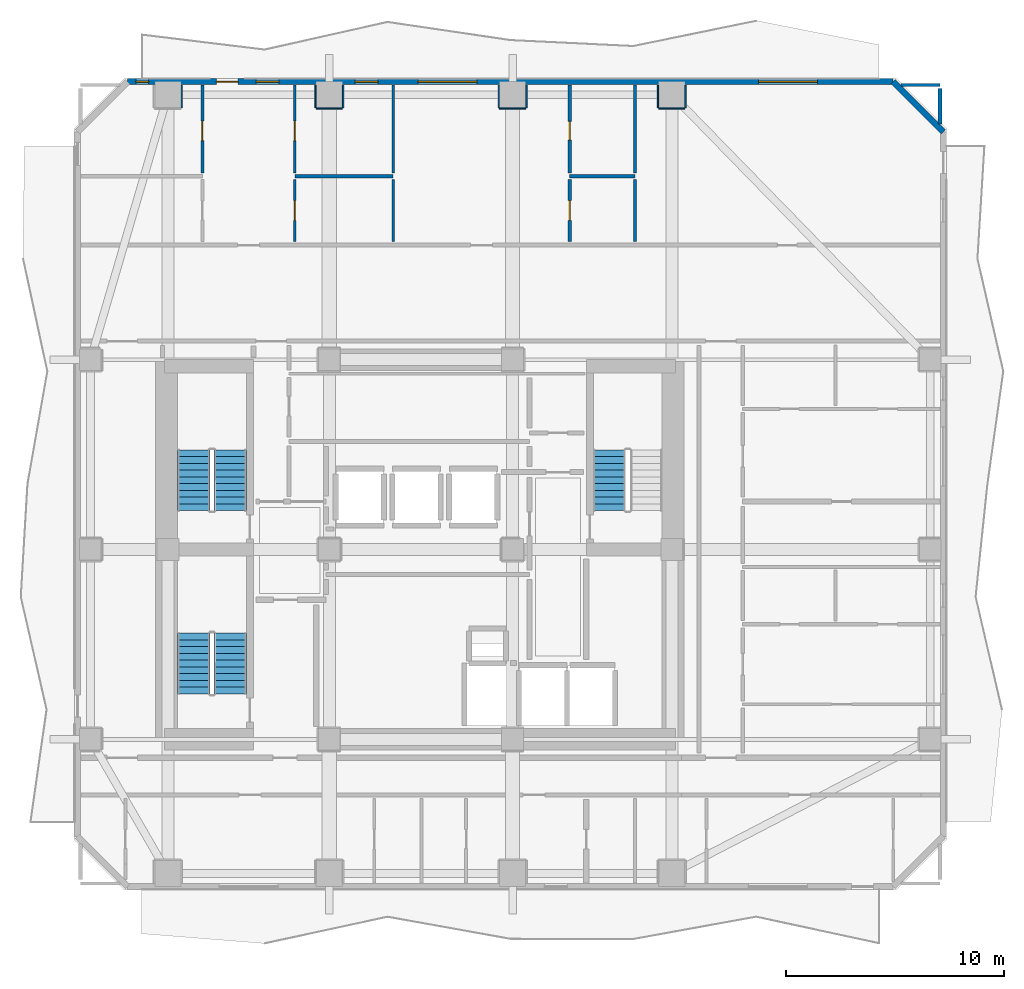
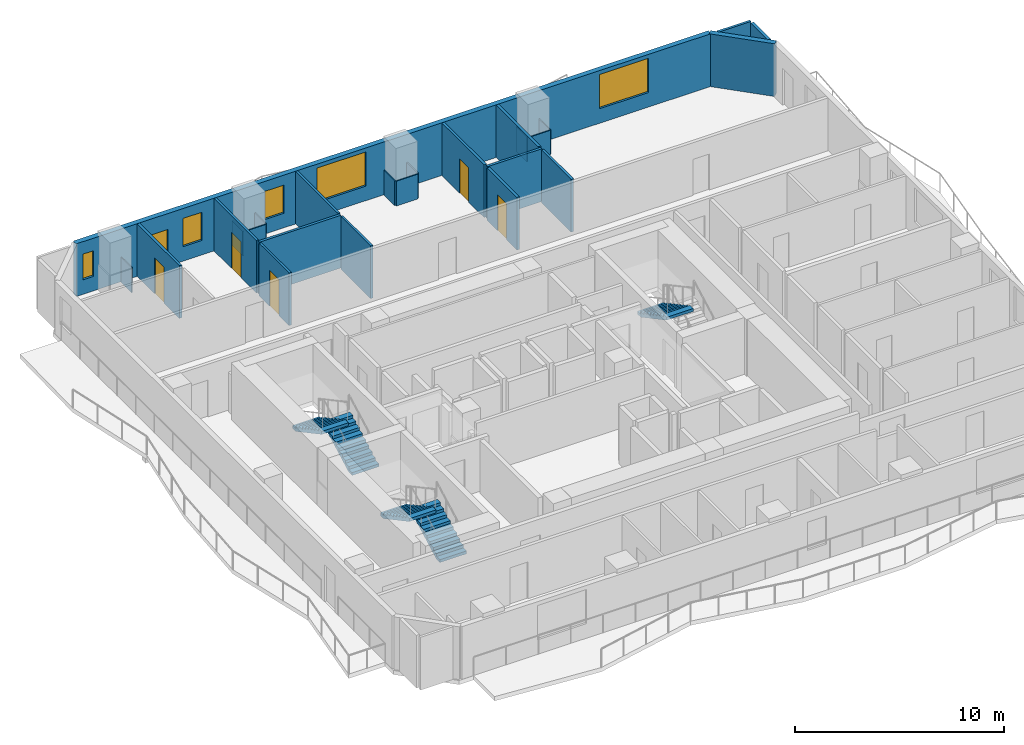
# One storey, part 6 of 11: 25 walls, 6 doors, 5 stair flights, 5 windows, 11 openings, 3 elements without a shape of their own.
"""IFC4 building model written with IfcOpenShell, lengths in metres."""

import ifcopenshell
import ifcopenshell.guid

model = None  # the IFC model being written
_history = None  # IfcOwnerHistory: only IFC2X3 demands one
_inside = {}  # id of a spatial element -> (the spatial element, [elements in it])
_under = {}  # id of a project, library or spatial element -> (it, [spatial elements below it])
_declared = {}  # id of a project -> (the project, [libraries it declares])
_typed = {}  # id of a type object -> (the type object, [elements of that type])
_made_of = {}  # id of a material, layer set ... -> (it, [elements and type objects made of it])


def new_model(schema):
    """Start an empty IFC model of exactly this schema.

    Asked for "IFC4X3", IfcOpenShell would pick the latest addendum, in which some entities
    have other attributes; the version numbers below select the first issue.
    IFC2X3 requires an IfcOwnerHistory on every rooted entity: one is made here for all.
    """
    global model, _history
    if schema == "IFC4X3":
        model = ifcopenshell.file(schema_version=(4, 3, 0, 0))
    else:
        model = ifcopenshell.file(schema=schema)
    _inside.clear()
    _under.clear()
    _declared.clear()
    _typed.clear()
    _made_of.clear()
    _history = None
    if model.schema == "IFC2X3":
        org = make("IfcOrganization", Name="unknown")
        user = make(
            "IfcPersonAndOrganization",
            ThePerson=make("IfcPerson", FamilyName="unknown"),
            TheOrganization=org,
        )
        app = make(
            "IfcApplication",
            ApplicationDeveloper=org,
            Version="unknown",
            ApplicationFullName="unknown",
            ApplicationIdentifier="unknown",
        )
        _history = make(
            "IfcOwnerHistory",
            OwningUser=user,
            OwningApplication=app,
            ChangeAction="ADDED",
            CreationDate=0,
        )
    return model


def make(cls, **values):
    """One entity of the class cls with the attributes given. An attribute that is None is left unset."""
    return model.create_entity(
        cls, **{name: value for name, value in values.items() if value is not None}
    )


def rooted(cls, **values):
    """An entity with a GlobalId (a new one), such as an element, a storey or a relation."""
    return make(cls, GlobalId=ifcopenshell.guid.new(), OwnerHistory=_history, **values)


def si_unit(unit_type, name, prefix=None):
    """IfcSIUnit, for example si_unit("LENGTHUNIT", "METRE", prefix="MILLI")."""
    return make("IfcSIUnit", UnitType=unit_type, Prefix=prefix, Name=name)


def assignment(units):
    """IfcUnitAssignment: the units of a project."""
    return None if units is None else make("IfcUnitAssignment", Units=units)


def point(xyz):
    """IfcCartesianPoint."""
    return None if xyz is None else make("IfcCartesianPoint", Coordinates=xyz)


def direction(xyz):
    """IfcDirection."""
    return None if xyz is None else make("IfcDirection", DirectionRatios=xyz)


def frame(location, z_axis=None, x_axis=None):
    """IfcAxis2Placement3D, a coordinate frame: its origin and axes. An axis left out is left unset."""
    return make(
        "IfcAxis2Placement3D",
        Location=point(location),
        Axis=direction(z_axis),
        RefDirection=direction(x_axis),
    )


def frame_2d(location, x_axis=None):
    """IfcAxis2Placement2D, a coordinate frame in the plane: its origin and x axis."""
    return make(
        "IfcAxis2Placement2D", Location=point(location), RefDirection=direction(x_axis)
    )


def origin():
    """The frame at (0, 0, 0) with its axes left unset."""
    return frame((0.0, 0.0, 0.0))


def place(relative_to, where):
    """IfcLocalPlacement: puts the frame where relative to a parent placement (None: the world)."""
    return make(
        "IfcLocalPlacement", PlacementRelTo=relative_to, RelativePlacement=where
    )


def context(
    kind, dimensions, precision=None, world=None, true_north=None, identifier=None
):
    """IfcGeometricRepresentationContext, for example the 3D "Model" context."""
    return make(
        "IfcGeometricRepresentationContext",
        ContextIdentifier=identifier,
        ContextType=kind,
        CoordinateSpaceDimension=dimensions,
        Precision=precision,
        WorldCoordinateSystem=world,
        TrueNorth=true_north,
    )


def subcontext(parent, identifier, kind, view, scale=None):
    """IfcGeometricRepresentationSubContext, for example "Body" below "Model"."""
    return make(
        "IfcGeometricRepresentationSubContext",
        ContextIdentifier=identifier,
        ContextType=kind,
        ParentContext=parent,
        TargetScale=scale,
        TargetView=view,
    )


def project(units=None, contexts=None):
    """IfcProject with its units and contexts."""
    return rooted(
        "IfcProject",
        Name="project",
        RepresentationContexts=contexts,
        UnitsInContext=assignment(units),
    )


def spatial(cls, under=None, at=None, **own):
    """A site, building, storey or space (cls), placed at a placement, below another one or the project."""
    s = rooted(cls, ObjectPlacement=at, **own)
    if under is not None:
        _under.setdefault(under.id(), (under, []))[1].append(s)
    return s


def polyline(points):
    """IfcPolyline through the points."""
    return make("IfcPolyline", Points=[point(p) for p in points])


def profile(cls, at=None, kind="AREA", **sizes):
    """A parametric profile (cls). Its sizes go by their IFC names, for example OverallWidth=200.0."""
    return make(cls, ProfileType=kind, Position=at, **sizes)


def rectangle(**sizes):
    """IfcRectangleProfileDef."""
    return profile("IfcRectangleProfileDef", **sizes)


def outline(outer, holes=None, kind="AREA"):
    """IfcArbitraryClosedProfileDef: a profile drawn as a closed curve; with holes, ...WithVoids."""
    if holes is None:
        return make("IfcArbitraryClosedProfileDef", ProfileType=kind, OuterCurve=outer)
    return make(
        "IfcArbitraryProfileDefWithVoids",
        ProfileType=kind,
        OuterCurve=outer,
        InnerCurves=holes,
    )


def extrude(swept, where, along, depth):
    """IfcExtrudedAreaSolid: the profile swept, set in the frame where, extruded along a direction by depth."""
    return make(
        "IfcExtrudedAreaSolid",
        SweptArea=swept,
        Position=where,
        ExtrudedDirection=direction(along),
        Depth=depth,
    )


def shape(context_of_items, identifier, shape_type, items):
    """IfcShapeRepresentation: the items that make up one representation, for example the "Body"."""
    return make(
        "IfcShapeRepresentation",
        ContextOfItems=context_of_items,
        RepresentationIdentifier=identifier,
        RepresentationType=shape_type,
        Items=items,
    )


def material(Name=None, Category=None):
    """IfcMaterial."""
    return make("IfcMaterial", Name=Name, Category=Category)


def layer(
    of_material, thickness, ventilated=None, Name=None, Category=None, Priority=None
):
    """IfcMaterialLayer: one layer of a wall or slab, of a material (None: an air gap)."""
    return make(
        "IfcMaterialLayer",
        Material=of_material,
        LayerThickness=thickness,
        IsVentilated=ventilated,
        Name=Name,
        Category=Category,
        Priority=Priority,
    )


def layer_set(layers, Name=None):
    """IfcMaterialLayerSet."""
    return make("IfcMaterialLayerSet", MaterialLayers=layers, LayerSetName=Name)


def made_of(thing, what):
    """Note that an element or type object is made of a material, layer set ...; save() writes the relation."""
    if what is not None:
        _made_of.setdefault(what.id(), (what, []))[1].append(thing)
    return thing


def type_object(cls, material=None, **own):
    """A type object (cls), such as IfcWallType, which elements share."""
    return made_of(rooted(cls, **own), material)


def element(
    cls,
    number,
    at=None,
    inside=None,
    cuts=None,
    type_object=None,
    material=None,
    context=None,
    identifier="Body",
    shape_type=None,
    held_by="IfcProductDefinitionShape",
    body=None,
    shapes=None,
    **own,
):
    """One element of the class cls, such as IfcWall. Its Tag is "e" and its number.

    at: its placement. inside: the storey or other place that contains it. cuts: it is an
    opening in that element (IfcRelVoidsElement). A single representation is given by context,
    identifier, shape_type and body (its items); several are given by shapes. held_by: the class
    of the entity that holds the representations. save() writes the other relations.
    """
    e = rooted(cls, Tag="e%d" % number, ObjectPlacement=at, **own)
    if body is not None:
        shapes = [shape(context, identifier, shape_type, body)]
    if shapes is not None:
        e.Representation = make(held_by, Representations=shapes)
    if inside is not None:
        _inside.setdefault(inside.id(), (inside, []))[1].append(e)
    if cuts is not None:
        rooted(
            "IfcRelVoidsElement", RelatingBuildingElement=cuts, RelatedOpeningElement=e
        )
    if type_object is not None:
        _typed.setdefault(type_object.id(), (type_object, []))[1].append(e)
    return made_of(e, material)


def fill(opening, filler):
    """IfcRelFillsElement: the door or window that sits in an opening."""
    return rooted(
        "IfcRelFillsElement",
        RelatingOpeningElement=opening,
        RelatedBuildingElement=filler,
    )


def aggregate(whole, parts):
    """IfcRelAggregates: a whole, such as a stair, and the parts it consists of."""
    return rooted("IfcRelAggregates", RelatingObject=whole, RelatedObjects=parts)


def save(model, path):
    """Write the relations noted so far, then the file.

    IfcRelAggregates (storeys below a building ...), IfcRelContainedInSpatialStructure (elements
    in a storey), IfcRelDefinesByType, IfcRelAssociatesMaterial and IfcRelDeclares: one each for
    every whole, place, type object, material and project.
    """
    for whole, parts in _under.values():
        aggregate(whole, parts)
    for where, things in _inside.values():
        rooted(
            "IfcRelContainedInSpatialStructure",
            RelatedElements=things,
            RelatingStructure=where,
        )
    for kind, things in _typed.values():
        rooted("IfcRelDefinesByType", RelatedObjects=things, RelatingType=kind)
    for what, things in _made_of.values():
        rooted("IfcRelAssociatesMaterial", RelatedObjects=things, RelatingMaterial=what)
    for by, libraries in _declared.values():
        rooted("IfcRelDeclares", RelatingContext=by, RelatedDefinitions=libraries)
    model.write(path)


model = new_model("IFC4")

# Units and contexts
model_context = context("Model", 3, precision=1e-05, world=origin(), true_north=direction((0.0, 1.0)))
body_context = subcontext(model_context, "Body", "Model", "MODEL_VIEW")
ifc_project = project(units=[si_unit("LENGTHUNIT", "METRE"), si_unit("AREAUNIT", "SQUARE_METRE"), si_unit("VOLUMEUNIT", "CUBIC_METRE"), si_unit("PLANEANGLEUNIT", "RADIAN"), si_unit("MASSUNIT", "GRAM", prefix="KILO")], contexts=[model_context])

# Site, building, storey
site_placement = place(None, origin())
site = spatial("IfcSite", under=ifc_project, at=site_placement, CompositionType="ELEMENT")
building_placement = place(site_placement, origin())
building = spatial("IfcBuilding", under=site, at=building_placement, Name="Solanera Arch Residences", CompositionType="ELEMENT")
storey_placement = place(building_placement, frame((0.0, 0.0, 149.239990234375)))
storey = spatial("IfcBuildingStorey", under=building, at=storey_placement, Name="L43", CompositionType="ELEMENT", Elevation=149.239990234375)

# Walls
ifc_material_1 = material(Name="Fire-Rated Gypsum Stud Partition", Category="gypsum")
ifc_layer_1 = layer(ifc_material_1, 0.06005859375)
ifc_layer_set_1 = layer_set([ifc_layer_1], Name="Fire-Rated Gypsum Stud Partition")
wall_type_1 = type_object("IfcWallType", Name="Column Acoustic Furring Wall 60", PredefinedType="PARTITIONING", material=ifc_layer_set_1)
wall_1_placement = place(storey_placement, frame((14.031982421875, 50.949951171875, 0.0), z_axis=(0.0, 0.0, 1.0), x_axis=(0.0, 1.0, 0.0)))
element("IfcWall", 1, at=wall_1_placement, inside=storey, type_object=wall_type_1, Name="L43 Column Furring 10E", PredefinedType="PARTITIONING", context=body_context, shape_type="SweptSolid", body=[
    extrude(rectangle(XDim=1.0400390625, YDim=0.06005859375, at=frame_2d((0.52001953125, 0.0))), origin(), (0.0, 0.0, 1.0), 1.449951171875),
])
wall_2_placement = place(storey_placement, frame((20.199951171875, 50.91796875, 0.0), z_axis=(0.0, 0.0, 1.0), x_axis=(1.0, 0.0, 0.0)))
element("IfcWall", 2, at=wall_2_placement, inside=storey, type_object=wall_type_1, Name="L43 Column Furring 12S", PredefinedType="PARTITIONING", context=body_context, shape_type="SweptSolid", body=[
    extrude(rectangle(XDim=1.199951171875, YDim=0.06005859375, at=frame_2d((0.60009765625, 0.0))), origin(), (0.0, 0.0, 1.0), 1.449951171875),
])
for number, where, z_axis, x_axis, name in (
    (3, (20.16796875, 50.949951171875, 0.0), (0.0, 0.0, 1.0), (0.0, 1.0, 0.0), "L43 Column Furring 12W"),
    (4, (21.431884765625, 50.949951171875, 0.0), (0.0, 0.0, 1.0), (0.0, 1.0, 0.0), "L43 Column Furring 12E"),
):
    element("IfcWall", number, at=place(storey_placement, frame(where, z_axis=z_axis, x_axis=x_axis)), inside=storey, type_object=wall_type_1, Name=name, PredefinedType="PARTITIONING", context=body_context, shape_type="SweptSolid", body=[
        extrude(rectangle(XDim=1.0400390625, YDim=0.06005859375, at=frame_2d((0.52001953125, 0.0))), origin(), (0.0, 0.0, 1.0), 1.449951171875),
    ])
wall_3_placement = place(storey_placement, frame((28.60009765625, 50.91796875, 0.0), z_axis=(0.0, 0.0, 1.0), x_axis=(1.0, 0.0, 0.0)))
element("IfcWall", 5, at=wall_3_placement, inside=storey, type_object=wall_type_1, Name="L43 Column Furring 14S", PredefinedType="PARTITIONING", context=body_context, shape_type="SweptSolid", body=[
    extrude(rectangle(XDim=1.199951171875, YDim=0.06005859375, at=frame_2d((0.60009765625, 0.0))), origin(), (0.0, 0.0, 1.0), 1.449951171875),
])
for number, where, z_axis, x_axis, name in (
    (6, (28.568115234375, 50.949951171875, 0.0), (0.0, 0.0, 1.0), (0.0, 1.0, 0.0), "L43 Column Furring 14W"),
    (7, (29.83203125, 50.949951171875, 0.0), (0.0, 0.0, 1.0), (0.0, 1.0, 0.0), "L43 Column Furring 14E"),
):
    element("IfcWall", number, at=place(storey_placement, frame(where, z_axis=z_axis, x_axis=x_axis)), inside=storey, type_object=wall_type_1, Name=name, PredefinedType="PARTITIONING", context=body_context, shape_type="SweptSolid", body=[
        extrude(rectangle(XDim=1.0400390625, YDim=0.06005859375, at=frame_2d((0.52001953125, 0.0))), origin(), (0.0, 0.0, 1.0), 1.449951171875),
    ])
wall_4_placement = place(storey_placement, frame((35.89990234375, 50.91796875, 0.0), z_axis=(0.0, 0.0, 1.0), x_axis=(1.0, 0.0, 0.0)))
element("IfcWall", 8, at=wall_4_placement, inside=storey, type_object=wall_type_1, Name="L43 Column Furring 16S", PredefinedType="PARTITIONING", context=body_context, shape_type="SweptSolid", body=[
    extrude(rectangle(XDim=1.2001953125, YDim=0.06005859375, at=frame_2d((0.60009765625, 0.0))), origin(), (0.0, 0.0, 1.0), 1.449951171875),
])
for number, where, z_axis, x_axis, name in (
    (9, (35.867919921875, 50.949951171875, 0.0), (0.0, 0.0, 1.0), (0.0, 1.0, 0.0), "L43 Column Furring 16W"),
    (10, (37.132080078125, 50.949951171875, 0.0), (0.0, 0.0, 1.0), (0.0, 1.0, 0.0), "L43 Column Furring 16E"),
):
    element("IfcWall", number, at=place(storey_placement, frame(where, z_axis=z_axis, x_axis=x_axis)), inside=storey, type_object=wall_type_1, Name=name, PredefinedType="PARTITIONING", context=body_context, shape_type="SweptSolid", body=[
        extrude(rectangle(XDim=1.0400390625, YDim=0.06005859375, at=frame_2d((0.52001953125, 0.0))), origin(), (0.0, 0.0, 1.0), 1.449951171875),
    ])
ifc_material_2 = material(Name="Autoclaved Aerated Concrete Blockwork", Category="masonry")
ifc_layer_2 = layer(ifc_material_2, 0.179931640625)
ifc_layer_set_2 = layer_set([ifc_layer_2], Name="Autoclaved Aerated Concrete Blockwork")
wall_type_2 = type_object("IfcWallType", Name="Corridor Fire Partition 180", PredefinedType="PARTITIONING", material=ifc_layer_set_2)
wall_5_placement = place(storey_placement, frame((48.800048828125, 50.205078125, 0.0), z_axis=(0.0, 0.0, 1.0), x_axis=(0.0, 1.0, 0.0)))
element("IfcWall", 11, at=wall_5_placement, inside=storey, type_object=wall_type_2, Name="L43 Interior Partition V13 2", PredefinedType="PARTITIONING", context=body_context, shape_type="SweptSolid", body=[
    extrude(rectangle(XDim=1.626953125, YDim=0.179931640625, at=frame_2d((0.8134765625, 0.0))), origin(), (0.0, 0.0, 1.0), 3.080078125),
])

# Wall, openings, door, windows
ifc_material_3 = material(Name="Precast Concrete C35/45", Category="concrete")
ifc_layer_3 = layer(ifc_material_3, 0.280029296875)
ifc_layer_set_3 = layer_set([ifc_layer_3], Name="Precast Concrete C35/45")
wall_type_3 = type_object("IfcWallType", Name="Exterior Wall Precast Masonry-Frame 280", PredefinedType="STANDARD", material=ifc_layer_set_3)
wall_6_placement = place(storey_placement, frame((11.554931640625, 52.14501953125, 0.0), z_axis=(0.0, 0.0, 1.0), x_axis=(1.0, 0.0, 0.0)))
wall_6 = element("IfcWall", 12, at=wall_6_placement, inside=storey, type_object=wall_type_3, Name="L43 Tower Exterior Precast Masonry-Frame Wall N", PredefinedType="STANDARD", context=body_context, shape_type="SweptSolid", body=[
    extrude(rectangle(XDim=35.090087890625, YDim=0.280029296875, at=frame_2d((17.544921875, 0.0))), origin(), (0.0, 0.0, 1.0), 3.080078125),
])
opening_1_placement = place(wall_6_placement, frame((4.06201171875, 0.0, 0.0)))
opening_1 = element("IfcOpeningElement", 13, at=opening_1_placement, cuts=wall_6, Name="Opening DB-01", PredefinedType="OPENING", context=body_context, shape_type="SweptSolid", body=[
    extrude(rectangle(XDim=1.0, YDim=2.14990234375, at=frame_2d((0.5, 1.074951171875))), frame((0.0, 0.14990234375, 0.0), z_axis=(0.0, -1.0, 0.0), x_axis=(1.0, 0.0, 0.0)), (0.0, 0.0, 1.0), 0.3),
])
opening_2_placement = place(wall_6_placement, frame((5.887939453125, 0.0, 0.85009765625)))
opening_2 = element("IfcOpeningElement", 14, at=opening_2_placement, cuts=wall_6, Name="Opening W-07", PredefinedType="OPENING", context=body_context, shape_type="SweptSolid", body=[
    extrude(rectangle(XDim=1.050048828125, YDim=1.64990234375, at=frame_2d((0.52490234375, 0.824951171875))), frame((0.0, 0.14990234375, 0.0), z_axis=(0.0, -1.0, 0.0), x_axis=(1.0, 0.0, 0.0)), (0.0, 0.0, 1.0), 0.3),
])
opening_3_placement = place(wall_6_placement, frame((0.3779296875, 0.0, 0.85009765625)))
opening_3 = element("IfcOpeningElement", 15, at=opening_3_placement, cuts=wall_6, Name="Opening W-14", PredefinedType="OPENING", context=body_context, shape_type="SweptSolid", body=[
    extrude(rectangle(XDim=0.580078125, YDim=1.5, at=frame_2d((0.2900390625, 0.75))), frame((0.0, 0.14990234375, 0.0), z_axis=(0.0, -1.0, 0.0), x_axis=(1.0, 0.0, 0.0)), (0.0, 0.0, 1.0), 0.3),
])
opening_4_placement = place(wall_6_placement, frame((10.43310546875, 0.0, 0.85009765625)))
opening_4 = element("IfcOpeningElement", 16, at=opening_4_placement, cuts=wall_6, Name="Opening W-07", PredefinedType="OPENING", context=body_context, shape_type="SweptSolid", body=[
    extrude(rectangle(XDim=1.050048828125, YDim=1.64990234375, at=frame_2d((0.52490234375, 0.824951171875))), frame((0.0, 0.14990234375, 0.0), z_axis=(0.0, -1.0, 0.0), x_axis=(1.0, 0.0, 0.0)), (0.0, 0.0, 1.0), 0.3),
])
opening_5_placement = place(wall_6_placement, frame((13.30810546875, 0.0, 0.85009765625)))
opening_5 = element("IfcOpeningElement", 17, at=opening_5_placement, cuts=wall_6, Name="Opening W-09", PredefinedType="OPENING", context=body_context, shape_type="SweptSolid", body=[
    extrude(rectangle(XDim=2.699951171875, YDim=2.0, at=frame_2d((1.35009765625, 1.0))), frame((0.0, 0.14990234375, 0.0), z_axis=(0.0, -1.0, 0.0), x_axis=(1.0, 0.0, 0.0)), (0.0, 0.0, 1.0), 0.3),
])
opening_6_placement = place(wall_6_placement, frame((28.922119140625, 0.0, 0.85009765625)))
opening_6 = element("IfcOpeningElement", 18, at=opening_6_placement, cuts=wall_6, Name="Opening W-09", PredefinedType="OPENING", context=body_context, shape_type="SweptSolid", body=[
    extrude(rectangle(XDim=2.699951171875, YDim=2.0, at=frame_2d((1.35009765625, 1.0))), frame((0.0, 0.14990234375, 0.0), z_axis=(0.0, -1.0, 0.0), x_axis=(1.0, 0.0, 0.0)), (0.0, 0.0, 1.0), 0.3),
])
ifc_material_4 = material(Name="Anodised Aluminium Alloy 6063-T6", Category="aluminium")
door_type_1 = type_object("IfcDoorType", Name="Glazed Balcony Swing Door DB-01", OperationType="NOTDEFINED", PredefinedType="DOOR", material=ifc_material_4)
door_1_placement = place(opening_1_placement, origin())
door_1 = element("IfcDoor", 19, at=door_1_placement, inside=storey, type_object=door_type_1, Name="DR-L43-OUT-02", OperationType="SINGLE_SWING_RIGHT", OverallHeight=2.14990234375, OverallWidth=1.0, PredefinedType="DOOR", context=body_context, shape_type="SweptSolid", body=[
    extrude(rectangle(XDim=1.0, YDim=2.14990234375, at=frame_2d((0.5, 1.074951171875))), frame((0.0, 0.02490234375, 0.0), z_axis=(0.0, -1.0, 0.0), x_axis=(1.0, 0.0, 0.0)), (0.0, 0.0, 1.0), 0.050048828125),
])
fill(opening_1, door_1)
ifc_material_5 = material(Name="Double Glazed Low-E Laminated Glass", Category="glass")
window_type_1 = type_object("IfcWindowType", Name="Punched Window W-07", PartitioningType="SINGLE_PANEL", PredefinedType="WINDOW", material=ifc_material_5)
window_1_placement = place(opening_2_placement, origin())
window_1 = element("IfcWindow", 20, at=window_1_placement, inside=storey, type_object=window_type_1, Name="L43 4304-LIV Punched Window", OverallHeight=1.64990234375, OverallWidth=1.050048828125, PartitioningType="SINGLE_PANEL", PredefinedType="WINDOW", context=body_context, shape_type="SweptSolid", body=[
    extrude(rectangle(XDim=1.050048828125, YDim=1.64990234375, at=frame_2d((0.52490234375, 0.824951171875))), frame((0.0, 0.030029296875, 0.0), z_axis=(0.0, -1.0, 0.0), x_axis=(1.0, 0.0, 0.0)), (0.0, 0.0, 1.0), 0.06005859375),
])
fill(opening_2, window_1)
window_2_placement = place(opening_4_placement, origin())
window_2 = element("IfcWindow", 21, at=window_2_placement, inside=storey, type_object=window_type_1, Name="L43 4304-BR2 Punched Window", OverallHeight=1.64990234375, OverallWidth=1.050048828125, PartitioningType="SINGLE_PANEL", PredefinedType="WINDOW", context=body_context, shape_type="SweptSolid", body=[
    extrude(rectangle(XDim=1.050048828125, YDim=1.64990234375, at=frame_2d((0.52490234375, 0.824951171875))), frame((0.0, 0.030029296875, 0.0), z_axis=(0.0, -1.0, 0.0), x_axis=(1.0, 0.0, 0.0)), (0.0, 0.0, 1.0), 0.06005859375),
])
fill(opening_4, window_2)
ifc_material_6 = material(Name="Double Glazed Low-E Laminated Glass", Category="glass")
window_type_2 = type_object("IfcWindowType", Name="Punched Window W-09", PartitioningType="TRIPLE_PANEL_VERTICAL", PredefinedType="WINDOW", material=ifc_material_6)
window_3_placement = place(opening_5_placement, origin())
window_3 = element("IfcWindow", 22, at=window_3_placement, inside=storey, type_object=window_type_2, Name="L43 4305-LIV Punched Window", OverallHeight=2.0, OverallWidth=2.699951171875, PartitioningType="SINGLE_PANEL", PredefinedType="WINDOW", context=body_context, shape_type="SweptSolid", body=[
    extrude(rectangle(XDim=2.699951171875, YDim=2.0, at=frame_2d((1.35009765625, 1.0))), frame((0.0, 0.030029296875, 0.0), z_axis=(0.0, -1.0, 0.0), x_axis=(1.0, 0.0, 0.0)), (0.0, 0.0, 1.0), 0.06005859375),
])
fill(opening_5, window_3)
window_4_placement = place(opening_6_placement, origin())
window_4 = element("IfcWindow", 23, at=window_4_placement, inside=storey, type_object=window_type_2, Name="L43 AMN-OFF Punched Window", OverallHeight=2.0, OverallWidth=2.699951171875, PartitioningType="SINGLE_PANEL", PredefinedType="WINDOW", context=body_context, shape_type="SweptSolid", body=[
    extrude(rectangle(XDim=2.699951171875, YDim=2.0, at=frame_2d((1.35009765625, 1.0))), frame((0.0, 0.030029296875, 0.0), z_axis=(0.0, -1.0, 0.0), x_axis=(1.0, 0.0, 0.0)), (0.0, 0.0, 1.0), 0.06005859375),
])
fill(opening_6, window_4)
ifc_material_7 = material(Name="Double Glazed Low-E Laminated Glass", Category="glass")
window_type_3 = type_object("IfcWindowType", Name="Punched Window W-14", PartitioningType="SINGLE_PANEL", PredefinedType="WINDOW", material=ifc_material_7)
window_5_placement = place(opening_3_placement, origin())
window_5 = element("IfcWindow", 24, at=window_5_placement, inside=storey, type_object=window_type_3, Name="L43 4304-BR1 Punched Window", OverallHeight=1.5, OverallWidth=0.580078125, PartitioningType="SINGLE_PANEL", PredefinedType="WINDOW", context=body_context, shape_type="SweptSolid", body=[
    extrude(rectangle(XDim=0.580078125, YDim=1.5, at=frame_2d((0.2900390625, 0.75))), frame((0.0, 0.030029296875, 0.0), z_axis=(0.0, -1.0, 0.0), x_axis=(1.0, 0.0, 0.0)), (0.0, 0.0, 1.0), 0.06005859375),
])
fill(opening_3, window_5)

# Wall
wall_7_placement = place(storey_placement, frame((46.64501953125, 52.14501953125, 0.0), z_axis=(0.0, 0.0, 1.0), x_axis=(0.707106781187, -0.707106781187, 0.0)))
element("IfcWall", 25, at=wall_7_placement, inside=storey, type_object=wall_type_3, Name="L43 Tower Exterior Precast Masonry-Frame Wall CH3", PredefinedType="STANDARD", context=body_context, shape_type="SweptSolid", body=[
    extrude(rectangle(XDim=3.252685546875, YDim=0.280029296875, at=frame_2d((1.62646484375, 0.0))), origin(), (0.0, 0.0, 1.0), 3.080078125),
])

# Wall, opening, door
ifc_material_8 = material(Name="Fire-Rated Gypsum Stud Partition", Category="gypsum")
ifc_layer_4 = layer(ifc_material_8, 0.1201171875)
ifc_layer_set_4 = layer_set([ifc_layer_4], Name="Fire-Rated Gypsum Stud Partition")
wall_type_4 = type_object("IfcWallType", Name="Unit Drywall Partition 120", PredefinedType="PARTITIONING", material=ifc_layer_set_4)
wall_8_placement = place(storey_placement, frame((19.219970703125, 44.80810546875, 0.0), z_axis=(0.0, 0.0, 1.0), x_axis=(0.0, 1.0, 0.0)))
wall_8 = element("IfcWall", 26, at=wall_8_placement, inside=storey, type_object=wall_type_4, Name="L43 Interior Partition V24 1", PredefinedType="PARTITIONING", context=body_context, shape_type="SweptSolid", body=[
    extrude(rectangle(XDim=2.864013671875, YDim=0.1201171875, at=frame_2d((1.43212890625, 0.0))), origin(), (0.0, 0.0, 1.0), 3.080078125),
])
opening_7_placement = place(wall_8_placement, frame((0.985107421875, 0.0, 0.0)))
opening_7 = element("IfcOpeningElement", 27, at=opening_7_placement, cuts=wall_8, Name="Opening DI-02", PredefinedType="OPENING", context=body_context, shape_type="SweptSolid", body=[
    extrude(rectangle(XDim=0.89990234375, YDim=2.10009765625, at=frame_2d((0.449951171875, 1.050048828125))), frame((0.0, 0.070068359375, 0.0), z_axis=(0.0, -1.0, 0.0), x_axis=(1.0, 0.0, 0.0)), (0.0, 0.0, 1.0), 0.1401),
])
ifc_material_9 = material(Name="Fire-Rated Architectural Hardwood", Category="wood")
door_type_2 = type_object("IfcDoorType", Name="Suite Room Swing Door DI-02", OperationType="NOTDEFINED", PredefinedType="DOOR", material=ifc_material_9)
door_2_placement = place(opening_7_placement, origin())
door_2 = element("IfcDoor", 28, at=door_2_placement, inside=storey, type_object=door_type_2, Name="DR-L43-IN-029", OperationType="SINGLE_SWING_RIGHT", OverallHeight=2.10009765625, OverallWidth=0.89990234375, PredefinedType="DOOR", context=body_context, shape_type="SweptSolid", body=[
    extrude(rectangle(XDim=0.89990234375, YDim=2.10009765625, at=frame_2d((0.449951171875, 1.050048828125))), frame((0.0, 0.02490234375, 0.0), z_axis=(0.0, -1.0, 0.0), x_axis=(1.0, 0.0, 0.0)), (0.0, 0.0, 1.0), 0.050048828125),
])
fill(opening_7, door_2)

wall_9_placement = place(storey_placement, frame((19.219970703125, 47.947998046875, 0.0), z_axis=(0.0, 0.0, 1.0), x_axis=(0.0, 1.0, 0.0)))
wall_9 = element("IfcWall", 29, at=wall_9_placement, inside=storey, type_object=wall_type_4, Name="L43 Interior Partition V24 2", PredefinedType="PARTITIONING", context=body_context, shape_type="SweptSolid", body=[
    extrude(rectangle(XDim=4.044921875, YDim=0.1201171875, at=frame_2d((2.0224609375, 0.0))), origin(), (0.0, 0.0, 1.0), 3.080078125),
])
opening_8_placement = place(wall_9_placement, frame((1.493896484375, 0.0, 0.0)))
opening_8 = element("IfcOpeningElement", 30, at=opening_8_placement, cuts=wall_9, Name="Opening DI-03", PredefinedType="OPENING", context=body_context, shape_type="SweptSolid", body=[
    extrude(rectangle(XDim=0.89990234375, YDim=2.10009765625, at=frame_2d((0.449951171875, 1.050048828125))), frame((0.0, 0.070068359375, 0.0), z_axis=(0.0, -1.0, 0.0), x_axis=(1.0, 0.0, 0.0)), (0.0, 0.0, 1.0), 0.1401),
])
ifc_material_10 = material(Name="Fire-Rated Architectural Hardwood", Category="wood")
door_type_3 = type_object("IfcDoorType", Name="Bedroom Swing Door DI-03", OperationType="NOTDEFINED", PredefinedType="DOOR", material=ifc_material_10)
door_3_placement = place(opening_8_placement, origin())
door_3 = element("IfcDoor", 31, at=door_3_placement, inside=storey, type_object=door_type_3, Name="DR-L43-IN-030", OperationType="SINGLE_SWING_LEFT", OverallHeight=2.10009765625, OverallWidth=0.89990234375, PredefinedType="DOOR", context=body_context, shape_type="SweptSolid", body=[
    extrude(rectangle(XDim=0.89990234375, YDim=2.10009765625, at=frame_2d((0.449951171875, 1.050048828125))), frame((0.0, 0.02490234375, 0.0), z_axis=(0.0, -1.0, 0.0), x_axis=(1.0, 0.0, 0.0)), (0.0, 0.0, 1.0), 0.050048828125),
])
fill(opening_8, door_3)

# Walls
wall_10_placement = place(storey_placement, frame((23.72607421875, 44.80810546875, 0.0), z_axis=(0.0, 0.0, 1.0), x_axis=(0.0, 1.0, 0.0)))
element("IfcWall", 32, at=wall_10_placement, inside=storey, type_object=wall_type_4, Name="L43 Interior Partition V26 1", PredefinedType="PARTITIONING", context=body_context, shape_type="SweptSolid", body=[
    extrude(rectangle(XDim=2.864013671875, YDim=0.1201171875, at=frame_2d((1.43212890625, 0.0))), origin(), (0.0, 0.0, 1.0), 3.080078125),
])
wall_11_placement = place(storey_placement, frame((23.72607421875, 47.947998046875, 0.0), z_axis=(0.0, 0.0, 1.0), x_axis=(0.0, 1.0, 0.0)))
element("IfcWall", 33, at=wall_11_placement, inside=storey, type_object=wall_type_4, Name="L43 Interior Partition V26 2", PredefinedType="PARTITIONING", context=body_context, shape_type="SweptSolid", body=[
    extrude(rectangle(XDim=4.044921875, YDim=0.1201171875, at=frame_2d((2.0224609375, 0.0))), origin(), (0.0, 0.0, 1.0), 3.080078125),
])
ifc_material_11 = material(Name="Autoclaved Aerated Concrete Blockwork", Category="masonry")
ifc_layer_5 = layer(ifc_material_11, 0.139892578125)
ifc_layer_set_5 = layer_set([ifc_layer_5], Name="Autoclaved Aerated Concrete Blockwork")
wall_type_5 = type_object("IfcWallType", Name="Wet-Room Partition 140", PredefinedType="PARTITIONING", material=ifc_layer_set_5)
wall_12_placement = place(storey_placement, frame((19.219970703125, 47.81005859375, 0.0), z_axis=(0.0, 0.0, 1.0), x_axis=(1.0, 0.0, 0.0)))
element("IfcWall", 34, at=wall_12_placement, inside=storey, type_object=wall_type_5, Name="L43 Interior Partition H19", PredefinedType="PARTITIONING", context=body_context, shape_type="SweptSolid", body=[
    extrude(rectangle(XDim=4.506103515625, YDim=0.139892578125, at=frame_2d((2.2529296875, 0.0))), origin(), (0.0, 0.0, 1.0), 3.080078125),
])
wall_13_placement = place(storey_placement, frame((31.820068359375, 47.81005859375, 0.0), z_axis=(0.0, 0.0, 1.0), x_axis=(1.0, 0.0, 0.0)))
element("IfcWall", 35, at=wall_13_placement, inside=storey, type_object=wall_type_5, Name="L43 Interior Partition H20", PredefinedType="PARTITIONING", context=body_context, shape_type="SweptSolid", body=[
    extrude(rectangle(XDim=3.0, YDim=0.139892578125, at=frame_2d((1.5, 0.0))), origin(), (0.0, 0.0, 1.0), 3.080078125),
])
wall_14_placement = place(storey_placement, frame((47.0048828125, 52.0, 0.0), z_axis=(0.0, 0.0, 1.0), x_axis=(1.0, 0.0, 0.0)))
element("IfcWall", 36, at=wall_14_placement, inside=storey, type_object=wall_type_5, Name="L43 Interior Partition H21 2", PredefinedType="PARTITIONING", context=body_context, shape_type="SweptSolid", body=[
    extrude(rectangle(XDim=1.795166015625, YDim=0.139892578125, at=frame_2d((0.8974609375, 0.0))), origin(), (0.0, 0.0, 1.0), 3.080078125),
])

# Wall, opening, door
wall_15_placement = place(storey_placement, frame((14.97998046875, 47.9580078125, 0.0), z_axis=(0.0, 0.0, 1.0), x_axis=(0.0, 1.0, 0.0)))
wall_15 = element("IfcWall", 37, at=wall_15_placement, inside=storey, type_object=wall_type_5, Name="L43 Interior Partition V15 2", PredefinedType="PARTITIONING", context=body_context, shape_type="SweptSolid", body=[
    extrude(rectangle(XDim=4.034912109375, YDim=0.139892578125, at=frame_2d((2.017578125, 0.0))), origin(), (0.0, 0.0, 1.0), 3.080078125),
])
opening_9_placement = place(wall_15_placement, frame((1.48388671875, 0.0, 0.0)))
opening_9 = element("IfcOpeningElement", 38, at=opening_9_placement, cuts=wall_15, Name="Opening DI-03", PredefinedType="OPENING", context=body_context, shape_type="SweptSolid", body=[
    extrude(rectangle(XDim=0.89990234375, YDim=2.10009765625, at=frame_2d((0.449951171875, 1.050048828125))), frame((0.0, 0.079833984375, 0.0), z_axis=(0.0, -1.0, 0.0), x_axis=(1.0, 0.0, 0.0)), (0.0, 0.0, 1.0), 0.1599),
])
door_4_placement = place(opening_9_placement, origin())
door_4 = element("IfcDoor", 39, at=door_4_placement, inside=storey, type_object=door_type_3, Name="DR-L43-IN-028", OperationType="SINGLE_SWING_LEFT", OverallHeight=2.10009765625, OverallWidth=0.89990234375, PredefinedType="DOOR", context=body_context, shape_type="SweptSolid", body=[
    extrude(rectangle(XDim=0.89990234375, YDim=2.10009765625, at=frame_2d((0.449951171875, 1.050048828125))), frame((0.0, 0.02490234375, 0.0), z_axis=(0.0, -1.0, 0.0), x_axis=(1.0, 0.0, 0.0)), (0.0, 0.0, 1.0), 0.050048828125),
])
fill(opening_9, door_4)

wall_16_placement = place(storey_placement, frame((31.820068359375, 44.818115234375, 0.0), z_axis=(0.0, 0.0, 1.0), x_axis=(0.0, 1.0, 0.0)))
wall_16 = element("IfcWall", 40, at=wall_16_placement, inside=storey, type_object=wall_type_5, Name="L43 Interior Partition V18 1", PredefinedType="PARTITIONING", context=body_context, shape_type="SweptSolid", body=[
    extrude(rectangle(XDim=2.843994140625, YDim=0.139892578125, at=frame_2d((1.421875, 0.0))), origin(), (0.0, 0.0, 1.0), 3.080078125),
])
opening_10_placement = place(wall_16_placement, frame((0.97509765625, 0.0, 0.0)))
opening_10 = element("IfcOpeningElement", 41, at=opening_10_placement, cuts=wall_16, Name="Opening DI-02", PredefinedType="OPENING", context=body_context, shape_type="SweptSolid", body=[
    extrude(rectangle(XDim=0.89990234375, YDim=2.10009765625, at=frame_2d((0.449951171875, 1.050048828125))), frame((0.0, 0.079833984375, 0.0), z_axis=(0.0, -1.0, 0.0), x_axis=(1.0, 0.0, 0.0)), (0.0, 0.0, 1.0), 0.1599),
])
door_5_placement = place(opening_10_placement, origin())
door_5 = element("IfcDoor", 42, at=door_5_placement, inside=storey, type_object=door_type_2, Name="DR-L43-IN-032", OperationType="SINGLE_SWING_LEFT", OverallHeight=2.10009765625, OverallWidth=0.89990234375, PredefinedType="DOOR", context=body_context, shape_type="SweptSolid", body=[
    extrude(rectangle(XDim=0.89990234375, YDim=2.10009765625, at=frame_2d((0.449951171875, 1.050048828125))), frame((0.0, 0.02490234375, 0.0), z_axis=(0.0, -1.0, 0.0), x_axis=(1.0, 0.0, 0.0)), (0.0, 0.0, 1.0), 0.050048828125),
])
fill(opening_10, door_5)

wall_17_placement = place(storey_placement, frame((31.820068359375, 47.9580078125, 0.0), z_axis=(0.0, 0.0, 1.0), x_axis=(0.0, 1.0, 0.0)))
wall_17 = element("IfcWall", 43, at=wall_17_placement, inside=storey, type_object=wall_type_5, Name="L43 Interior Partition V18 2", PredefinedType="PARTITIONING", context=body_context, shape_type="SweptSolid", body=[
    extrude(rectangle(XDim=4.034912109375, YDim=0.139892578125, at=frame_2d((2.017578125, 0.0))), origin(), (0.0, 0.0, 1.0), 3.080078125),
])
opening_11_placement = place(wall_17_placement, frame((1.50390625, 0.0, 0.0)))
opening_11 = element("IfcOpeningElement", 44, at=opening_11_placement, cuts=wall_17, Name="Opening DI-05", PredefinedType="OPENING", context=body_context, shape_type="SweptSolid", body=[
    extrude(rectangle(XDim=0.860107421875, YDim=2.02001953125, at=frame_2d((0.43017578125, 1.010009765625))), frame((0.0, 0.079833984375, 0.0), z_axis=(0.0, -1.0, 0.0), x_axis=(1.0, 0.0, 0.0)), (0.0, 0.0, 1.0), 0.1599),
])
ifc_material_12 = material(Name="Fire-Rated Architectural Hardwood", Category="wood")
door_type_4 = type_object("IfcDoorType", Name="Bathroom Swing Door DI-05", OperationType="NOTDEFINED", PredefinedType="DOOR", material=ifc_material_12)
door_6_placement = place(opening_11_placement, origin())
door_6 = element("IfcDoor", 45, at=door_6_placement, inside=storey, type_object=door_type_4, Name="DR-L43-IN-033", OperationType="SINGLE_SWING_RIGHT", OverallHeight=2.02001953125, OverallWidth=0.860107421875, PredefinedType="DOOR", context=body_context, shape_type="SweptSolid", body=[
    extrude(rectangle(XDim=0.860107421875, YDim=2.02001953125, at=frame_2d((0.43017578125, 1.010009765625))), frame((0.0, 0.02490234375, 0.0), z_axis=(0.0, -1.0, 0.0), x_axis=(1.0, 0.0, 0.0)), (0.0, 0.0, 1.0), 0.050048828125),
])
fill(opening_11, door_6)

# Walls
wall_18_placement = place(storey_placement, frame((34.820068359375, 44.818115234375, 0.0), z_axis=(0.0, 0.0, 1.0), x_axis=(0.0, 1.0, 0.0)))
element("IfcWall", 46, at=wall_18_placement, inside=storey, type_object=wall_type_5, Name="L43 Interior Partition V20 1", PredefinedType="PARTITIONING", context=body_context, shape_type="SweptSolid", body=[
    extrude(rectangle(XDim=2.843994140625, YDim=0.139892578125, at=frame_2d((1.421875, 0.0))), origin(), (0.0, 0.0, 1.0), 3.080078125),
])
wall_19_placement = place(storey_placement, frame((34.820068359375, 47.9580078125, 0.0), z_axis=(0.0, 0.0, 1.0), x_axis=(0.0, 1.0, 0.0)))
element("IfcWall", 47, at=wall_19_placement, inside=storey, type_object=wall_type_5, Name="L43 Interior Partition V20 2", PredefinedType="PARTITIONING", context=body_context, shape_type="SweptSolid", body=[
    extrude(rectangle(XDim=4.034912109375, YDim=0.139892578125, at=frame_2d((2.017578125, 0.0))), origin(), (0.0, 0.0, 1.0), 3.080078125),
])

# Stair, stair flights
ifc_material_13 = material(Name="Concrete C40/50 (f'c = 45 MPa)", Category="concrete")
stair_type = type_object("IfcStairType", Name="Tower Dogleg Exit Stair 1480", PredefinedType="HALF_TURN_STAIR", material=ifc_material_13)
stair_1_placement = place(storey_placement, origin())
stair_1 = element("IfcStair", 48, at=stair_1_placement, inside=storey, type_object=stair_type, Name="L43 Tower Core Exit Stair 1", PredefinedType="HALF_TURN_STAIR")
ifc_material_14 = material(Name="Concrete C40/50 (f'c = 45 MPa)", Category="concrete")
stair_flight_type = type_object("IfcStairFlightType", Name="Tower Precast Stair Flight 1480", PredefinedType="STRAIGHT", material=ifc_material_14)
stair_flight_1_placement = place(storey_placement, frame((16.260009765625, 32.47998046875, 0.0), z_axis=(0.0, 0.0, 1.0), x_axis=(0.0, 1.0, 0.0)))
stair_flight_1 = element("IfcStairFlight", 49, at=stair_flight_1_placement, type_object=stair_flight_type, Name="ST-T1 flight 1", NumberOfRisers=10, NumberOfTreads=9, PredefinedType="STRAIGHT", RiserHeight=0.166, TreadLength=0.31, context=body_context, shape_type="SweptSolid", body=[
    extrude(outline(polyline([(0.0, 0.0), (0.0, 0.166015625), (0.31005859375, 0.166015625), (0.31005859375, 0.33203125), (0.6201171875, 0.33203125), (0.6201171875, 0.498046875), (0.929931640625, 0.498046875), (0.929931640625, 0.6640625), (1.239990234375, 0.6640625), (1.239990234375, 0.830078125), (1.550048828125, 0.830078125), (1.550048828125, 0.99609375), (1.860107421875, 0.99609375), (1.860107421875, 1.162109375), (2.169921875, 1.162109375), (2.169921875, 1.327880859375), (2.47998046875, 1.327880859375), (2.47998046875, 1.493896484375), (2.7900390625, 1.493896484375), (2.7900390625, 1.659912109375), (2.7900390625, 1.323974609375), (0.317626953125, 0.0), (0.0, 0.0)])), frame((0.0, 0.739990234375, 0.0), z_axis=(0.0, -1.0, 0.0), x_axis=(1.0, 0.0, 0.0)), (0.0, 0.0, 1.0), 1.47998046875),
])
stair_flight_2_placement = place(storey_placement, frame((14.580078125, 35.27001953125, 1.659912109375), z_axis=(0.0, 0.0, 1.0), x_axis=(0.0, -1.0, 0.0)))
stair_flight_2 = element("IfcStairFlight", 50, at=stair_flight_2_placement, type_object=stair_flight_type, Name="ST-T1 flight 2", NumberOfRisers=10, NumberOfTreads=9, PredefinedType="STRAIGHT", RiserHeight=0.166, TreadLength=0.31, context=body_context, shape_type="SweptSolid", body=[
    extrude(outline(polyline([(0.0, 0.0), (0.0, 0.166015625), (0.31005859375, 0.166015625), (0.31005859375, 0.33203125), (0.6201171875, 0.33203125), (0.6201171875, 0.498046875), (0.929931640625, 0.498046875), (0.929931640625, 0.6640625), (1.239990234375, 0.6640625), (1.239990234375, 0.830078125), (1.550048828125, 0.830078125), (1.550048828125, 0.99609375), (1.860107421875, 0.99609375), (1.860107421875, 1.162109375), (2.169921875, 1.162109375), (2.169921875, 1.327880859375), (2.47998046875, 1.327880859375), (2.47998046875, 1.493896484375), (2.7900390625, 1.493896484375), (2.7900390625, 1.659912109375), (2.7900390625, 1.323974609375), (0.317626953125, 0.0), (0.0, 0.0)])), frame((0.0, 0.739990234375, 0.0), z_axis=(0.0, -1.0, 0.0), x_axis=(1.0, 0.0, 0.0)), (0.0, 0.0, 1.0), 1.47998046875),
])
aggregate(stair_1, [stair_flight_1, stair_flight_2])

# Stair, stair flight
stair_2_placement = place(storey_placement, origin())
stair_2 = element("IfcStair", 51, at=stair_2_placement, inside=storey, type_object=stair_type, Name="L43 Tower Core Exit Stair 2", PredefinedType="HALF_TURN_STAIR")
stair_flight_3_placement = place(storey_placement, frame((33.639892578125, 35.27001953125, 1.659912109375), z_axis=(0.0, 0.0, 1.0), x_axis=(0.0, -1.0, 0.0)))
stair_flight_3 = element("IfcStairFlight", 52, at=stair_flight_3_placement, type_object=stair_flight_type, Name="ST-T2 flight 2", NumberOfRisers=10, NumberOfTreads=9, PredefinedType="STRAIGHT", RiserHeight=0.166, TreadLength=0.31, context=body_context, shape_type="SweptSolid", body=[
    extrude(outline(polyline([(0.0, 0.0), (0.0, 0.166015625), (0.31005859375, 0.166015625), (0.31005859375, 0.33203125), (0.6201171875, 0.33203125), (0.6201171875, 0.498046875), (0.929931640625, 0.498046875), (0.929931640625, 0.6640625), (1.239990234375, 0.6640625), (1.239990234375, 0.830078125), (1.550048828125, 0.830078125), (1.550048828125, 0.99609375), (1.860107421875, 0.99609375), (1.860107421875, 1.162109375), (2.169921875, 1.162109375), (2.169921875, 1.327880859375), (2.47998046875, 1.327880859375), (2.47998046875, 1.493896484375), (2.7900390625, 1.493896484375), (2.7900390625, 1.659912109375), (2.7900390625, 1.323974609375), (0.317626953125, 0.0), (0.0, 0.0)])), frame((0.0, 0.739990234375, 0.0), z_axis=(0.0, -1.0, 0.0), x_axis=(1.0, 0.0, 0.0)), (0.0, 0.0, 1.0), 1.47998046875),
])
aggregate(stair_2, [stair_flight_3])

# Stair, stair flights
stair_3_placement = place(storey_placement, origin())
stair_3 = element("IfcStair", 53, at=stair_3_placement, inside=storey, type_object=stair_type, Name="L43 Tower Core Exit Stair 3", PredefinedType="HALF_TURN_STAIR")
stair_flight_4_placement = place(storey_placement, frame((16.260009765625, 24.080078125, 0.0), z_axis=(0.0, 0.0, 1.0), x_axis=(0.0, 1.0, 0.0)))
stair_flight_4 = element("IfcStairFlight", 54, at=stair_flight_4_placement, type_object=stair_flight_type, Name="ST-T3 flight 1", NumberOfRisers=10, NumberOfTreads=9, PredefinedType="STRAIGHT", RiserHeight=0.166, TreadLength=0.31, context=body_context, shape_type="SweptSolid", body=[
    extrude(outline(polyline([(0.0, 0.0), (0.0, 0.166015625), (0.31005859375, 0.166015625), (0.31005859375, 0.33203125), (0.6201171875, 0.33203125), (0.6201171875, 0.498046875), (0.929931640625, 0.498046875), (0.929931640625, 0.6640625), (1.239990234375, 0.6640625), (1.239990234375, 0.830078125), (1.550048828125, 0.830078125), (1.550048828125, 0.99609375), (1.860107421875, 0.99609375), (1.860107421875, 1.162109375), (2.169921875, 1.162109375), (2.169921875, 1.327880859375), (2.47998046875, 1.327880859375), (2.47998046875, 1.493896484375), (2.7900390625, 1.493896484375), (2.7900390625, 1.659912109375), (2.7900390625, 1.323974609375), (0.317626953125, 0.0), (0.0, 0.0)])), frame((0.0, 0.739990234375, 0.0), z_axis=(0.0, -1.0, 0.0), x_axis=(1.0, 0.0, 0.0)), (0.0, 0.0, 1.0), 1.47998046875),
])
stair_flight_5_placement = place(storey_placement, frame((14.580078125, 26.8701171875, 1.659912109375), z_axis=(0.0, 0.0, 1.0), x_axis=(0.0, -1.0, 0.0)))
stair_flight_5 = element("IfcStairFlight", 55, at=stair_flight_5_placement, type_object=stair_flight_type, Name="ST-T3 flight 2", NumberOfRisers=10, NumberOfTreads=9, PredefinedType="STRAIGHT", RiserHeight=0.166, TreadLength=0.31, context=body_context, shape_type="SweptSolid", body=[
    extrude(outline(polyline([(0.0, 0.0), (0.0, 0.166015625), (0.31005859375, 0.166015625), (0.31005859375, 0.33203125), (0.6201171875, 0.33203125), (0.6201171875, 0.498046875), (0.929931640625, 0.498046875), (0.929931640625, 0.6640625), (1.239990234375, 0.6640625), (1.239990234375, 0.830078125), (1.550048828125, 0.830078125), (1.550048828125, 0.99609375), (1.860107421875, 0.99609375), (1.860107421875, 1.162109375), (2.169921875, 1.162109375), (2.169921875, 1.327880859375), (2.47998046875, 1.327880859375), (2.47998046875, 1.493896484375), (2.7900390625, 1.493896484375), (2.7900390625, 1.659912109375), (2.7900390625, 1.323974609375), (0.317626953125, 0.0), (0.0, 0.0)])), frame((0.0, 0.739990234375, 0.0), z_axis=(0.0, -1.0, 0.0), x_axis=(1.0, 0.0, 0.0)), (0.0, 0.0, 1.0), 1.47998046875),
])
aggregate(stair_3, [stair_flight_4, stair_flight_5])

save(model, "model.ifc")
